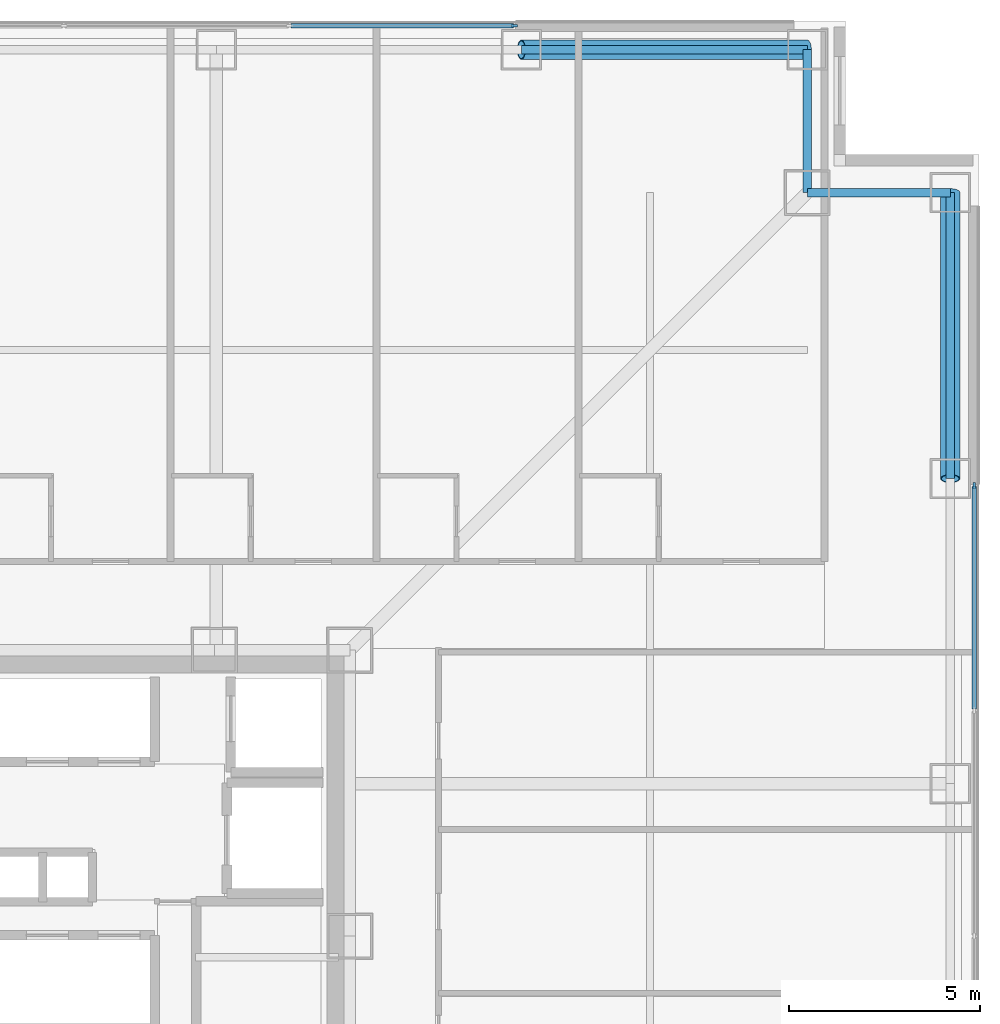
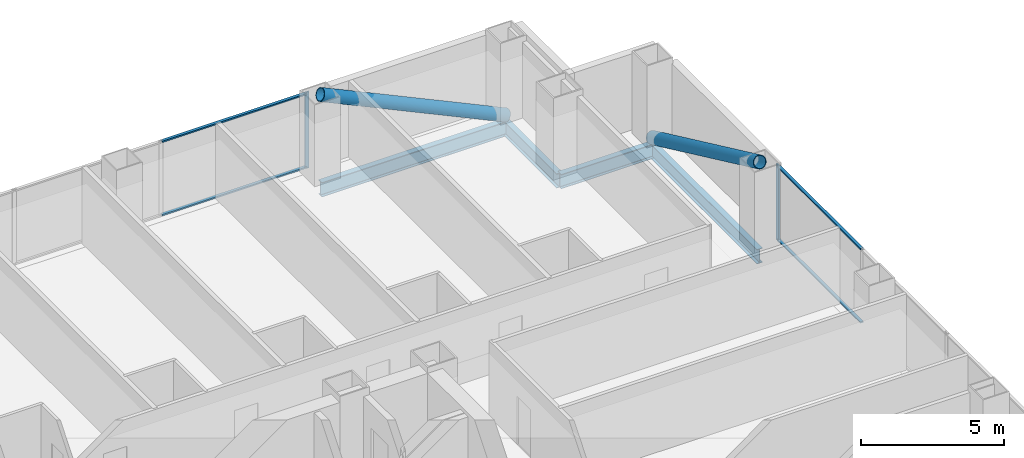
# One storey, part 15 of 23: 8 members, 4 beams, 2 elements without a shape of their own.
"""IFC4 building model written with IfcOpenShell, lengths in metres."""

from ifc_helpers import new_model, si_unit, direction, frame, origin, origin_2d, place, context, subcontext, project, spatial, rectangle, hollow_circle, i_section, extrude, material, layer, layer_set, material_profile, profile_set, type_object, element, aggregate, save


model = new_model("IFC4")

# Units and contexts
model_context = context("Model", 3, precision=1e-05, world=origin(), true_north=direction((0.0, 1.0)))
body_context = subcontext(model_context, "Body", "Model", "MODEL_VIEW")
ifc_project = project(units=[si_unit("LENGTHUNIT", "METRE"), si_unit("AREAUNIT", "SQUARE_METRE"), si_unit("VOLUMEUNIT", "CUBIC_METRE"), si_unit("PLANEANGLEUNIT", "RADIAN"), si_unit("MASSUNIT", "GRAM", prefix="KILO")], contexts=[model_context])

# Site, building, storey
site_placement = place(None, origin())
site = spatial("IfcSite", under=ifc_project, at=site_placement, CompositionType="ELEMENT")
building_placement = place(site_placement, origin())
building = spatial("IfcBuilding", under=site, at=building_placement, Name="Trevonay Congress Spire", CompositionType="ELEMENT")
storey_placement = place(building_placement, frame((0.0, 0.0, 34.0)))
storey = spatial("IfcBuildingStorey", under=building, at=storey_placement, Name="L07", CompositionType="ELEMENT", Elevation=34.0)

# Beams
ifc_material_1 = material(Name="Steel ASTM A572 Grade 50", Category="steel")
ifc_material_profile_1 = material_profile(ifc_material_1, i_section(OverallWidth=0.22998046875, OverallDepth=0.616943359375, WebThickness=0.01318359375, FlangeThickness=0.022216796875, FilletRadius=0.01611328125, at=origin_2d()), Name="W610x140")
ifc_profile_set_1 = profile_set([ifc_material_profile_1], Name="Steel ASTM A572 Grade 50")
beam_type = type_object("IfcBeamType", Name="BM-RING-W610X140", PredefinedType="BEAM", material=ifc_profile_set_1)
for number, where, z_axis, x_axis, name in (
    (1, (12.0, 23.25, -0.55859375), (1.0, 0.0, 0.0), (0.0, 1.0, 0.0), "L07 structural beam BM-L07-PN5"),
    (2, (23.25, 12.0, -0.55859375), (0.0, 1.0, 0.0), (-1.0, 0.0, 0.0), "L07 structural beam BM-L07-PE5"),
):
    element("IfcBeam", number, at=place(storey_placement, frame(where, z_axis=z_axis, x_axis=x_axis)), inside=storey, type_object=beam_type, Name=name, PredefinedType="BEAM", context=body_context, shape_type="SweptSolid", body=[
        extrude(i_section(OverallWidth=0.22998046875, OverallDepth=0.616943359375, WebThickness=0.01318359375, FlangeThickness=0.022216796875, FilletRadius=0.01611328125, at=origin_2d()), origin(), (0.0, 0.0, 1.0), 7.5),
    ])
for number, where, z_axis, x_axis, name in (
    (3, (19.5, 23.25, -0.55859375), (0.0, -1.0, 0.0), (1.0, 0.0, 0.0), "L07 structural beam BM-L07-N1NE"),
    (4, (23.25, 19.5, -0.55859375), (-1.0, 0.0, 0.0), (0.0, -1.0, 0.0), "L07 structural beam BM-L07-N2NE"),
):
    element("IfcBeam", number, at=place(storey_placement, frame(where, z_axis=z_axis, x_axis=x_axis)), inside=storey, type_object=beam_type, Name=name, PredefinedType="BEAM", context=body_context, shape_type="SweptSolid", body=[
        extrude(i_section(OverallWidth=0.22998046875, OverallDepth=0.616943359375, WebThickness=0.01318359375, FlangeThickness=0.022216796875, FilletRadius=0.01611328125, at=origin_2d()), origin(), (0.0, 0.0, 1.0), 3.75),
    ])

# Curtain wall, member
ifc_material_2 = material(Name="Pale Anodised Aluminium EN AW-6063-T6", Category="aluminium")
ifc_layer = layer(ifc_material_2, 0.179931640625, Name="Pale Anodised Aluminium EN AW-6063-T6")
ifc_layer_set = layer_set([ifc_layer], Name="Pale Anodised Aluminium EN AW-6063-T6")
curtain_wall_type = type_object("IfcCurtainWallType", Name="CW-SYS02-HOTEL-PALE-METAL", PredefinedType="NOTDEFINED", material=ifc_layer_set)
curtain_wall_1_placement = place(storey_placement, origin())
curtain_wall_1 = element("IfcCurtainWall", 5, at=curtain_wall_1_placement, inside=storey, type_object=curtain_wall_type, Name="L07 N unitised curtain wall", PredefinedType="NOTDEFINED")
ifc_material_profile_2 = material_profile(ifc_material_2, rectangle(XDim=0.06005859375, YDim=0.159912109375, at=origin_2d()), Name="CW-MULLION-160-ALUMINIUM")
ifc_profile_set_2 = profile_set([ifc_material_profile_2], Name="Pale Anodised Aluminium EN AW-6063-T6")
member_type_1 = type_object("IfcMemberType", Name="CW-MULLION-160-ALUMINIUM", PredefinedType="MULLION", material=ifc_profile_set_2)
member_1_placement = place(storey_placement, frame((11.820068359375, 23.8798828125, 0.0), z_axis=(0.0, 0.0, 1.0), x_axis=(0.0, 1.0, 0.0)))
member_1 = element("IfcMember", 6, at=member_1_placement, type_object=member_type_1, Name="CW02 mullion 5", PredefinedType="MULLION", context=body_context, shape_type="SweptSolid", body=[
    extrude(rectangle(XDim=0.06005859375, YDim=0.159912109375, at=origin_2d()), origin(), (0.0, 0.0, 1.0), 3.25),
])

curtain_wall_2_placement = place(storey_placement, origin())
curtain_wall_2 = element("IfcCurtainWall", 7, at=curtain_wall_2_placement, inside=storey, type_object=curtain_wall_type, Name="L07 E unitised curtain wall", PredefinedType="NOTDEFINED")
member_2_placement = place(storey_placement, frame((23.8798828125, 11.820068359375, 0.0), z_axis=(0.0, 0.0, 1.0), x_axis=(-1.0, 0.0, 0.0)))
member_2 = element("IfcMember", 8, at=member_2_placement, type_object=member_type_1, Name="CW02 mullion 5", PredefinedType="MULLION", context=body_context, shape_type="SweptSolid", body=[
    extrude(rectangle(XDim=0.06005859375, YDim=0.159912109375, at=origin_2d()), origin(), (0.0, 0.0, 1.0), 3.25),
])

# Member
ifc_material_profile_3 = material_profile(ifc_material_2, rectangle(XDim=0.1201171875, YDim=0.06005859375, at=origin_2d()), Name="CW-TRANSOM-120-ALUMINIUM")
ifc_profile_set_3 = profile_set([ifc_material_profile_3], Name="Pale Anodised Aluminium EN AW-6063-T6")
member_type_2 = type_object("IfcMemberType", Name="CW-TRANSOM-120-ALUMINIUM", PredefinedType="USERDEFINED", material=ifc_profile_set_3)
member_3_placement = place(storey_placement, frame((5.955078125, 23.8798828125, 0.06005859375), z_axis=(1.0, 0.0, 0.0), x_axis=(0.0, 1.0, 0.0)))
member_3 = element("IfcMember", 9, at=member_3_placement, type_object=member_type_2, Name="CW02 transom 4.1", ObjectType="TRANSOM", PredefinedType="USERDEFINED", context=body_context, shape_type="SweptSolid", body=[
    extrude(rectangle(XDim=0.1201171875, YDim=0.06005859375, at=origin_2d()), origin(), (0.0, 0.0, 1.0), 5.8349609375),
])

member_4_placement = place(storey_placement, frame((5.955078125, 23.8798828125, 3.18994140625), z_axis=(1.0, 0.0, 0.0), x_axis=(0.0, 1.0, 0.0)))
member_4 = element("IfcMember", 10, at=member_4_placement, type_object=member_type_2, Name="CW02 transom 4.2", ObjectType="TRANSOM", PredefinedType="USERDEFINED", context=body_context, shape_type="SweptSolid", body=[
    extrude(rectangle(XDim=0.1201171875, YDim=0.06005859375, at=origin_2d()), origin(), (0.0, 0.0, 1.0), 5.8349609375),
])

aggregate(curtain_wall_1, [member_1, member_3, member_4])

member_5_placement = place(storey_placement, frame((23.8798828125, 5.955078125, 0.06005859375), z_axis=(0.0, 1.0, 0.0), x_axis=(-1.0, 0.0, 0.0)))
member_5 = element("IfcMember", 11, at=member_5_placement, type_object=member_type_2, Name="CW02 transom 4.1", ObjectType="TRANSOM", PredefinedType="USERDEFINED", context=body_context, shape_type="SweptSolid", body=[
    extrude(rectangle(XDim=0.1201171875, YDim=0.06005859375, at=origin_2d()), origin(), (0.0, 0.0, 1.0), 5.8349609375),
])

member_6_placement = place(storey_placement, frame((23.8798828125, 5.955078125, 3.18994140625), z_axis=(0.0, 1.0, 0.0), x_axis=(-1.0, 0.0, 0.0)))
member_6 = element("IfcMember", 12, at=member_6_placement, type_object=member_type_2, Name="CW02 transom 4.2", ObjectType="TRANSOM", PredefinedType="USERDEFINED", context=body_context, shape_type="SweptSolid", body=[
    extrude(rectangle(XDim=0.1201171875, YDim=0.06005859375, at=origin_2d()), origin(), (0.0, 0.0, 1.0), 5.8349609375),
])

aggregate(curtain_wall_2, [member_2, member_5, member_6])

# Members
ifc_material_profile_4 = material_profile(ifc_material_1, hollow_circle(Radius=0.25390625, WallThickness=0.02490234375, at=origin_2d()), Name="CHS 508x25")
ifc_profile_set_4 = profile_set([ifc_material_profile_4], Name="Steel ASTM A572 Grade 50")
member_type_3 = type_object("IfcMemberType", Name="MBR-TUBE-CHS508", PredefinedType="BRACE", material=ifc_profile_set_4)
for number, where, z_axis, x_axis, name in (
    (13, (19.5, 23.25, -0.050048828125), (-0.906183139995, 0.0, 0.422885465331), (0.0, -1.0, 0.0), "L07 perimeter braced-tube diagonal N4"),
    (14, (23.25, 19.5, -0.050048828125), (0.0, -0.906183139995, 0.422885465331), (1.0, 0.0, 0.0), "L07 perimeter braced-tube diagonal E4"),
):
    element("IfcMember", number, at=place(storey_placement, frame(where, z_axis=z_axis, x_axis=x_axis)), inside=storey, type_object=member_type_3, Name=name, PredefinedType="BRACE", context=body_context, shape_type="SweptSolid", body=[
        extrude(hollow_circle(Radius=0.25390625, WallThickness=0.02490234375, at=origin_2d()), origin(), (0.0, 0.0, 1.0), 8.2763671875),
    ])

save(model, "model.ifc")
